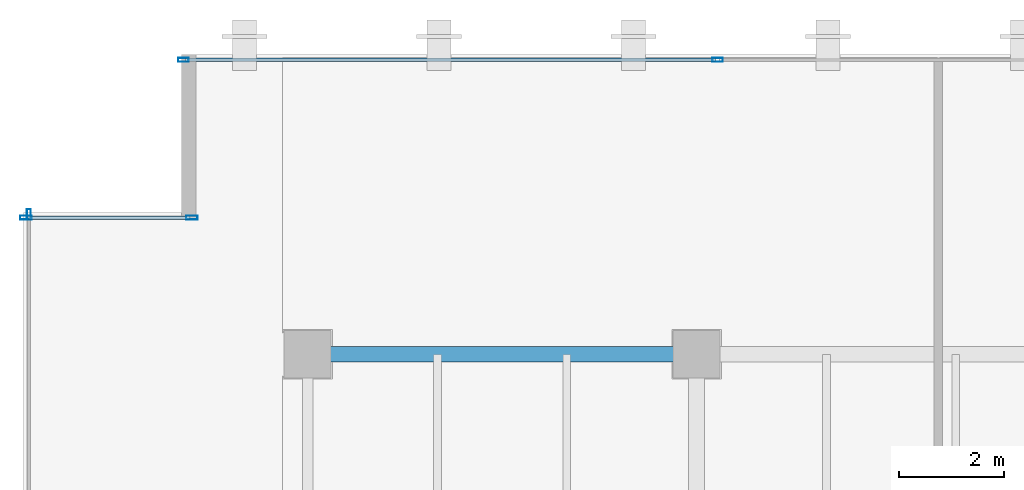
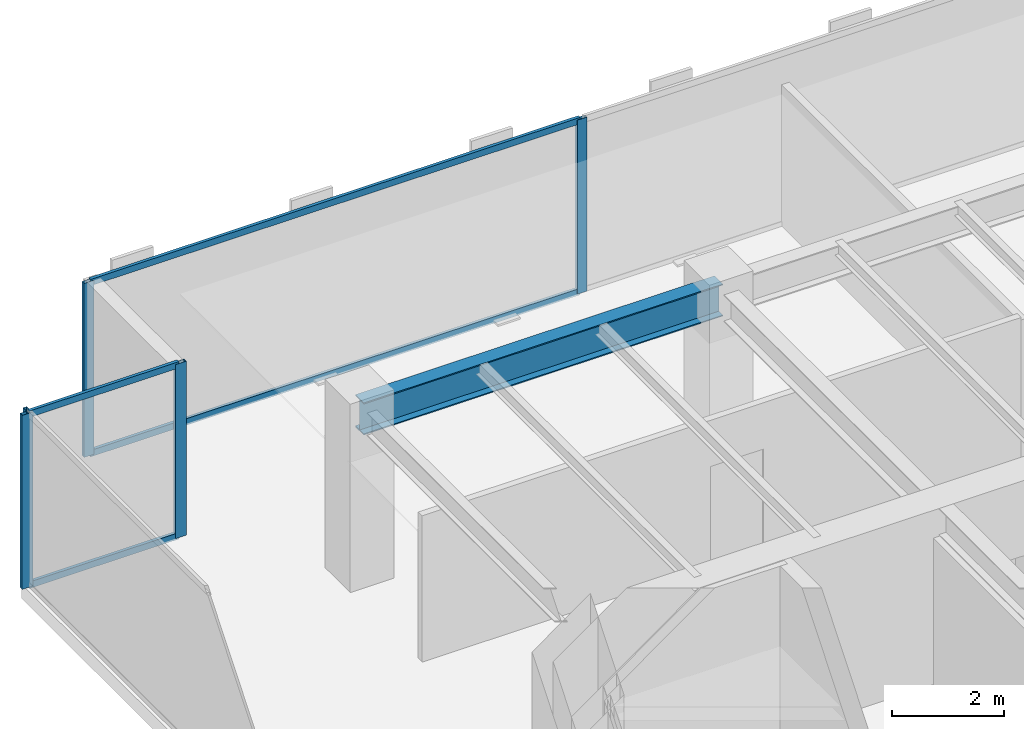
# One storey, part 14 of 34: 9 members, 1 beam, 3 elements without a shape of their own.
"""IFC4 building model written with IfcOpenShell, lengths in metres."""

import ifcopenshell
import ifcopenshell.guid

model = None  # the IFC model being written
_history = None  # IfcOwnerHistory: only IFC2X3 demands one
_inside = {}  # id of a spatial element -> (the spatial element, [elements in it])
_under = {}  # id of a project, library or spatial element -> (it, [spatial elements below it])
_declared = {}  # id of a project -> (the project, [libraries it declares])
_typed = {}  # id of a type object -> (the type object, [elements of that type])
_made_of = {}  # id of a material, layer set ... -> (it, [elements and type objects made of it])


def new_model(schema):
    """Start an empty IFC model of exactly this schema.

    Asked for "IFC4X3", IfcOpenShell would pick the latest addendum, in which some entities
    have other attributes; the version numbers below select the first issue.
    IFC2X3 requires an IfcOwnerHistory on every rooted entity: one is made here for all.
    """
    global model, _history
    if schema == "IFC4X3":
        model = ifcopenshell.file(schema_version=(4, 3, 0, 0))
    else:
        model = ifcopenshell.file(schema=schema)
    _inside.clear()
    _under.clear()
    _declared.clear()
    _typed.clear()
    _made_of.clear()
    _history = None
    if model.schema == "IFC2X3":
        org = make("IfcOrganization", Name="unknown")
        user = make(
            "IfcPersonAndOrganization",
            ThePerson=make("IfcPerson", FamilyName="unknown"),
            TheOrganization=org,
        )
        app = make(
            "IfcApplication",
            ApplicationDeveloper=org,
            Version="unknown",
            ApplicationFullName="unknown",
            ApplicationIdentifier="unknown",
        )
        _history = make(
            "IfcOwnerHistory",
            OwningUser=user,
            OwningApplication=app,
            ChangeAction="ADDED",
            CreationDate=0,
        )
    return model


def make(cls, **values):
    """One entity of the class cls with the attributes given. An attribute that is None is left unset."""
    return model.create_entity(
        cls, **{name: value for name, value in values.items() if value is not None}
    )


def rooted(cls, **values):
    """An entity with a GlobalId (a new one), such as an element, a storey or a relation."""
    return make(cls, GlobalId=ifcopenshell.guid.new(), OwnerHistory=_history, **values)


def si_unit(unit_type, name, prefix=None):
    """IfcSIUnit, for example si_unit("LENGTHUNIT", "METRE", prefix="MILLI")."""
    return make("IfcSIUnit", UnitType=unit_type, Prefix=prefix, Name=name)


def assignment(units):
    """IfcUnitAssignment: the units of a project."""
    return None if units is None else make("IfcUnitAssignment", Units=units)


def point(xyz):
    """IfcCartesianPoint."""
    return None if xyz is None else make("IfcCartesianPoint", Coordinates=xyz)


def direction(xyz):
    """IfcDirection."""
    return None if xyz is None else make("IfcDirection", DirectionRatios=xyz)


def frame(location, z_axis=None, x_axis=None):
    """IfcAxis2Placement3D, a coordinate frame: its origin and axes. An axis left out is left unset."""
    return make(
        "IfcAxis2Placement3D",
        Location=point(location),
        Axis=direction(z_axis),
        RefDirection=direction(x_axis),
    )


def frame_2d(location, x_axis=None):
    """IfcAxis2Placement2D, a coordinate frame in the plane: its origin and x axis."""
    return make(
        "IfcAxis2Placement2D", Location=point(location), RefDirection=direction(x_axis)
    )


def origin():
    """The frame at (0, 0, 0) with its axes left unset."""
    return frame((0.0, 0.0, 0.0))


def origin_2d():
    """The frame at (0, 0) in the plane with its x axis left unset."""
    return frame_2d((0.0, 0.0))


def place(relative_to, where):
    """IfcLocalPlacement: puts the frame where relative to a parent placement (None: the world)."""
    return make(
        "IfcLocalPlacement", PlacementRelTo=relative_to, RelativePlacement=where
    )


def context(
    kind, dimensions, precision=None, world=None, true_north=None, identifier=None
):
    """IfcGeometricRepresentationContext, for example the 3D "Model" context."""
    return make(
        "IfcGeometricRepresentationContext",
        ContextIdentifier=identifier,
        ContextType=kind,
        CoordinateSpaceDimension=dimensions,
        Precision=precision,
        WorldCoordinateSystem=world,
        TrueNorth=true_north,
    )


def subcontext(parent, identifier, kind, view, scale=None):
    """IfcGeometricRepresentationSubContext, for example "Body" below "Model"."""
    return make(
        "IfcGeometricRepresentationSubContext",
        ContextIdentifier=identifier,
        ContextType=kind,
        ParentContext=parent,
        TargetScale=scale,
        TargetView=view,
    )


def project(units=None, contexts=None):
    """IfcProject with its units and contexts."""
    return rooted(
        "IfcProject",
        Name="project",
        RepresentationContexts=contexts,
        UnitsInContext=assignment(units),
    )


def spatial(cls, under=None, at=None, **own):
    """A site, building, storey or space (cls), placed at a placement, below another one or the project."""
    s = rooted(cls, ObjectPlacement=at, **own)
    if under is not None:
        _under.setdefault(under.id(), (under, []))[1].append(s)
    return s


def profile(cls, at=None, kind="AREA", **sizes):
    """A parametric profile (cls). Its sizes go by their IFC names, for example OverallWidth=200.0."""
    return make(cls, ProfileType=kind, Position=at, **sizes)


def hollow_rectangle(**sizes):
    """IfcRectangleHollowProfileDef."""
    return profile("IfcRectangleHollowProfileDef", **sizes)


def i_section(**sizes):
    """IfcIShapeProfileDef."""
    return profile("IfcIShapeProfileDef", **sizes)


def extrude(swept, where, along, depth):
    """IfcExtrudedAreaSolid: the profile swept, set in the frame where, extruded along a direction by depth."""
    return make(
        "IfcExtrudedAreaSolid",
        SweptArea=swept,
        Position=where,
        ExtrudedDirection=direction(along),
        Depth=depth,
    )


def shape(context_of_items, identifier, shape_type, items):
    """IfcShapeRepresentation: the items that make up one representation, for example the "Body"."""
    return make(
        "IfcShapeRepresentation",
        ContextOfItems=context_of_items,
        RepresentationIdentifier=identifier,
        RepresentationType=shape_type,
        Items=items,
    )


def source(mapping_origin, context_of_items, identifier, shape_type, items):
    """IfcRepresentationMap: a shape defined once, which mapped items show again and again."""
    return make(
        "IfcRepresentationMap",
        MappingOrigin=mapping_origin,
        MappedRepresentation=shape(context_of_items, identifier, shape_type, items),
    )


def transform(
    local_origin,
    x_axis=None,
    y_axis=None,
    z_axis=None,
    scale=None,
    scale2=None,
    scale3=None,
    uniform=True,
):
    """IfcCartesianTransformationOperator3D, or its non-uniform kind. x_axis, y_axis, z_axis: its Axis1, 2, 3."""
    if uniform:
        return make(
            "IfcCartesianTransformationOperator3D",
            Axis1=direction(x_axis),
            Axis2=direction(y_axis),
            LocalOrigin=point(local_origin),
            Scale=scale,
            Axis3=direction(z_axis),
        )
    return make(
        "IfcCartesianTransformationOperator3DnonUniform",
        Axis1=direction(x_axis),
        Axis2=direction(y_axis),
        LocalOrigin=point(local_origin),
        Scale=scale,
        Axis3=direction(z_axis),
        Scale2=scale2,
        Scale3=scale3,
    )


def mapped(mapping_source, mapping_target):
    """IfcMappedItem: shows the shape of a source again, moved by a transform."""
    return make(
        "IfcMappedItem", MappingSource=mapping_source, MappingTarget=mapping_target
    )


def material(Name=None, Category=None):
    """IfcMaterial."""
    return make("IfcMaterial", Name=Name, Category=Category)


def layer(
    of_material, thickness, ventilated=None, Name=None, Category=None, Priority=None
):
    """IfcMaterialLayer: one layer of a wall or slab, of a material (None: an air gap)."""
    return make(
        "IfcMaterialLayer",
        Material=of_material,
        LayerThickness=thickness,
        IsVentilated=ventilated,
        Name=Name,
        Category=Category,
        Priority=Priority,
    )


def layer_set(layers, Name=None):
    """IfcMaterialLayerSet."""
    return make("IfcMaterialLayerSet", MaterialLayers=layers, LayerSetName=Name)


def material_profile(
    of_material, cross_section, Name=None, Category=None, Priority=None
):
    """IfcMaterialProfile: a cross section and its material."""
    return make(
        "IfcMaterialProfile",
        Name=Name,
        Material=of_material,
        Profile=cross_section,
        Priority=Priority,
        Category=Category,
    )


def profile_set(profiles, Name=None, composite=None):
    """IfcMaterialProfileSet."""
    return make(
        "IfcMaterialProfileSet",
        Name=Name,
        MaterialProfiles=profiles,
        CompositeProfile=composite,
    )


def made_of(thing, what):
    """Note that an element or type object is made of a material, layer set ...; save() writes the relation."""
    if what is not None:
        _made_of.setdefault(what.id(), (what, []))[1].append(thing)
    return thing


def type_object(cls, material=None, **own):
    """A type object (cls), such as IfcWallType, which elements share."""
    return made_of(rooted(cls, **own), material)


def type_shapes(of_type, sources):
    """Give a type object the sources (RepresentationMaps) that its elements show as mapped items."""
    of_type.RepresentationMaps = sources


def element(
    cls,
    number,
    at=None,
    inside=None,
    cuts=None,
    type_object=None,
    material=None,
    context=None,
    identifier="Body",
    shape_type=None,
    held_by="IfcProductDefinitionShape",
    body=None,
    shapes=None,
    **own,
):
    """One element of the class cls, such as IfcWall. Its Tag is "e" and its number.

    at: its placement. inside: the storey or other place that contains it. cuts: it is an
    opening in that element (IfcRelVoidsElement). A single representation is given by context,
    identifier, shape_type and body (its items); several are given by shapes. held_by: the class
    of the entity that holds the representations. save() writes the other relations.
    """
    e = rooted(cls, Tag="e%d" % number, ObjectPlacement=at, **own)
    if body is not None:
        shapes = [shape(context, identifier, shape_type, body)]
    if shapes is not None:
        e.Representation = make(held_by, Representations=shapes)
    if inside is not None:
        _inside.setdefault(inside.id(), (inside, []))[1].append(e)
    if cuts is not None:
        rooted(
            "IfcRelVoidsElement", RelatingBuildingElement=cuts, RelatedOpeningElement=e
        )
    if type_object is not None:
        _typed.setdefault(type_object.id(), (type_object, []))[1].append(e)
    return made_of(e, material)


def aggregate(whole, parts):
    """IfcRelAggregates: a whole, such as a stair, and the parts it consists of."""
    return rooted("IfcRelAggregates", RelatingObject=whole, RelatedObjects=parts)


def save(model, path):
    """Write the relations noted so far, then the file.

    IfcRelAggregates (storeys below a building ...), IfcRelContainedInSpatialStructure (elements
    in a storey), IfcRelDefinesByType, IfcRelAssociatesMaterial and IfcRelDeclares: one each for
    every whole, place, type object, material and project.
    """
    for whole, parts in _under.values():
        aggregate(whole, parts)
    for where, things in _inside.values():
        rooted(
            "IfcRelContainedInSpatialStructure",
            RelatedElements=things,
            RelatingStructure=where,
        )
    for kind, things in _typed.values():
        rooted("IfcRelDefinesByType", RelatedObjects=things, RelatingType=kind)
    for what, things in _made_of.values():
        rooted("IfcRelAssociatesMaterial", RelatedObjects=things, RelatingMaterial=what)
    for by, libraries in _declared.values():
        rooted("IfcRelDeclares", RelatingContext=by, RelatedDefinitions=libraries)
    model.write(path)


model = new_model("IFC4")

# Units and contexts
model_context = context("Model", 3, precision=1e-05, world=origin(), true_north=direction((0.0, 1.0)))
body_context = subcontext(model_context, "Body", "Model", "MODEL_VIEW")
ifc_project = project(units=[si_unit("LENGTHUNIT", "METRE"), si_unit("AREAUNIT", "SQUARE_METRE"), si_unit("VOLUMEUNIT", "CUBIC_METRE"), si_unit("PLANEANGLEUNIT", "RADIAN"), si_unit("MASSUNIT", "GRAM", prefix="KILO")], contexts=[model_context])

# Site, building, storey
site_placement = place(None, origin())
site = spatial("IfcSite", under=ifc_project, at=site_placement, CompositionType="ELEMENT")
building_placement = place(site_placement, origin())
building = spatial("IfcBuilding", under=site, at=building_placement, Name="Haelvirn Gate Laboratories", CompositionType="ELEMENT")
storey_placement = place(building_placement, frame((0.0, 0.0, 158.39990234375)))
storey = spatial("IfcBuildingStorey", under=building, at=storey_placement, Name="L38", CompositionType="ELEMENT", Elevation=158.39990234375)

# Beam
ifc_material_1 = material(Name="Steel SM355", Category="steel")
ifc_material_profile_1 = material_profile(ifc_material_1, i_section(OverallWidth=0.300048828125, OverallDepth=0.699951171875, WebThickness=0.012939453125, FlangeThickness=0.02392578125, at=origin_2d()), Name="H-700x300x13x24")
ifc_profile_set_1 = profile_set([ifc_material_profile_1], Name="Steel SM355")
beam_type = type_object("IfcBeamType", Name="BM-G-700", PredefinedType="BEAM", material=ifc_profile_set_1)
shared_shape_1 = source(origin(), body_context, "Body", "SweptSolid", [
    extrude(i_section(OverallWidth=0.300048828125, OverallDepth=0.699951171875, WebThickness=0.012939453125, FlangeThickness=0.02392578125, at=origin_2d()), origin(), (0.0, 0.0, 1.0), 7.400146484375),
])
type_shapes(beam_type, [shared_shape_1])
beam_placement = place(storey_placement, frame((7.39990234375, 41.60009765625, 3.440185546875), z_axis=(1.0, 0.0, 0.0), x_axis=(0.0, 1.0, 0.0)))
element("IfcBeam", 1, at=beam_placement, inside=storey, type_object=beam_type, Name="L38 Primary Girder Y41.6 (7.4-14.8)", PredefinedType="BEAM", context=body_context, shape_type="MappedRepresentation", body=[
    mapped(shared_shape_1, transform((0.0, 0.0, 0.0), scale=1.0)),
])

# Curtain wall, members
ifc_material_2 = material(Name="Anodised bronze unitised aluminium & triple low-E glass", Category="aluminium")
ifc_layer_1 = layer(ifc_material_2, 0.179931640625, Name="CW-SYS-3")
ifc_layer_set_1 = layer_set([ifc_layer_1], Name="Anodised bronze unitised aluminium & triple low-E glass")
curtain_wall_type_1 = type_object("IfcCurtainWallType", Name="CW-SYS-3", PredefinedType="NOTDEFINED", material=ifc_layer_set_1)
curtain_wall_1_placement = place(storey_placement, origin())
curtain_wall_1 = element("IfcCurtainWall", 2, at=curtain_wall_1_placement, inside=storey, type_object=curtain_wall_type_1, Name="L38 Unitised Curtain Wall CW-L38-P0-E14-1", PredefinedType="NOTDEFINED")
ifc_material_3 = material(Name="Extruded aluminium 6063-T6 (anodised bronze)", Category="aluminium")
ifc_material_profile_2 = material_profile(ifc_material_3, hollow_rectangle(XDim=0.06494140625, YDim=0.139892578125, WallThickness=0.00390625, at=origin_2d()), Name="CWT-140x65x4")
ifc_profile_set_2 = profile_set([ifc_material_profile_2], Name="Extruded aluminium 6063-T6 (anodised bronze)")
member_type_1 = type_object("IfcMemberType", Name="CWT-T140", PredefinedType="USERDEFINED", material=ifc_profile_set_2)
shared_shape_2 = source(origin(), body_context, "Body", "SweptSolid", [
    extrude(hollow_rectangle(XDim=0.06494140625, YDim=0.139892578125, WallThickness=0.00390625, at=origin_2d()), origin(), (0.0, 0.0, 1.0), 10.087646484375),
])
member_1_placement = place(storey_placement, frame((5.074951171875, 47.199951171875, 0.03271484375), z_axis=(1.0, 0.0, 0.0), x_axis=(0.0, 1.0, 0.0)))
member_1 = element("IfcMember", 3, at=member_1_placement, type_object=member_type_1, Name="CW3 transom 1.1", ObjectType="TRANSOM", PredefinedType="USERDEFINED", context=body_context, shape_type="MappedRepresentation", body=[
    mapped(shared_shape_2, transform((0.0, 0.0, 0.0), scale=1.0)),
])
member_2_placement = place(storey_placement, frame((5.074951171875, 47.199951171875, 3.757568359375), z_axis=(1.0, 0.0, 0.0), x_axis=(0.0, 1.0, 0.0)))
member_2 = element("IfcMember", 4, at=member_2_placement, type_object=member_type_1, Name="CW3 transom 1.2", ObjectType="TRANSOM", PredefinedType="USERDEFINED", context=body_context, shape_type="MappedRepresentation", body=[
    mapped(shared_shape_2, transform((0.0, 0.0, 0.0), scale=1.0)),
])

ifc_layer_2 = layer(ifc_material_2, 0.181884765625, Name="CW-SYS-5")
ifc_layer_set_2 = layer_set([ifc_layer_2], Name="Anodised bronze unitised aluminium & triple low-E glass")
curtain_wall_type_2 = type_object("IfcCurtainWallType", Name="CW-SYS-5", PredefinedType="NOTDEFINED", material=ifc_layer_set_2)
curtain_wall_2_placement = place(storey_placement, origin())
curtain_wall_2 = element("IfcCurtainWall", 5, at=curtain_wall_2_placement, inside=storey, type_object=curtain_wall_type_2, Name="L38 Unitised Curtain Wall CW-L38-P0-E16-1", PredefinedType="NOTDEFINED")
shared_shape_3 = source(origin(), body_context, "Body", "SweptSolid", [
    extrude(hollow_rectangle(XDim=0.06494140625, YDim=0.139892578125, WallThickness=0.00390625, at=origin_2d()), origin(), (0.0, 0.0, 1.0), 3.079833984375),
])
type_shapes(member_type_1, [shared_shape_2, shared_shape_3])
member_3_placement = place(storey_placement, frame((2.080078125, 44.199951171875, 0.03271484375), z_axis=(1.0, 0.0, 0.0), x_axis=(0.0, 1.0, 0.0)))
member_3 = element("IfcMember", 6, at=member_3_placement, type_object=member_type_1, Name="CW5 transom 1.1", ObjectType="TRANSOM", PredefinedType="USERDEFINED", context=body_context, shape_type="MappedRepresentation", body=[
    mapped(shared_shape_3, transform((0.0, 0.0, 0.0), scale=1.0)),
])
member_4_placement = place(storey_placement, frame((2.080078125, 44.199951171875, 3.757568359375), z_axis=(1.0, 0.0, 0.0), x_axis=(0.0, 1.0, 0.0)))
member_4 = element("IfcMember", 7, at=member_4_placement, type_object=member_type_1, Name="CW5 transom 1.2", ObjectType="TRANSOM", PredefinedType="USERDEFINED", context=body_context, shape_type="MappedRepresentation", body=[
    mapped(shared_shape_3, transform((0.0, 0.0, 0.0), scale=1.0)),
])

# Member
ifc_material_profile_3 = material_profile(ifc_material_3, hollow_rectangle(XDim=0.074951171875, YDim=0.199951171875, WallThickness=0.0048828125, at=origin_2d()), Name="CWM-200x75x5")
ifc_profile_set_3 = profile_set([ifc_material_profile_3], Name="Extruded aluminium 6063-T6 (anodised bronze)")
member_type_2 = type_object("IfcMemberType", Name="CWM-T200", PredefinedType="MULLION", material=ifc_profile_set_3)
shared_shape_4 = source(origin(), body_context, "Body", "SweptSolid", [
    extrude(hollow_rectangle(XDim=0.074951171875, YDim=0.199951171875, WallThickness=0.0048828125, at=origin_2d()), origin(), (0.0, 0.0, 1.0), 3.7900390625),
])
type_shapes(member_type_2, [shared_shape_4])
member_5_placement = place(storey_placement, frame((5.03759765625, 47.199951171875, 0.0), z_axis=(0.0, 0.0, 1.0), x_axis=(0.0, 1.0, 0.0)))
member_5 = element("IfcMember", 8, at=member_5_placement, type_object=member_type_2, Name="CW3 mullion 1", PredefinedType="MULLION", context=body_context, shape_type="MappedRepresentation", body=[
    mapped(shared_shape_4, transform((0.0, 0.0, 0.0), scale=1.0)),
])

member_6_placement = place(storey_placement, frame((15.199951171875, 47.199951171875, 0.0), z_axis=(0.0, 0.0, 1.0), x_axis=(0.0, 1.0, 0.0)))
member_6 = element("IfcMember", 9, at=member_6_placement, type_object=member_type_2, Name="CW3 mullion 2", PredefinedType="MULLION", context=body_context, shape_type="MappedRepresentation", body=[
    mapped(shared_shape_4, transform((0.0, 0.0, 0.0), scale=1.0)),
])

aggregate(curtain_wall_1, [member_5, member_6, member_1, member_2])

# Curtain wall, member
curtain_wall_3_placement = place(storey_placement, origin())
curtain_wall_3 = element("IfcCurtainWall", 10, at=curtain_wall_3_placement, inside=storey, type_object=curtain_wall_type_1, Name="L38 Unitised Curtain Wall CW-L38-P0-E17", PredefinedType="NOTDEFINED")
member_7_placement = place(storey_placement, frame((2.10009765625, 44.262451171875, 0.0), z_axis=(0.0, 0.0, 1.0), x_axis=(1.0, 0.0, 0.0)))
member_7 = element("IfcMember", 11, at=member_7_placement, type_object=member_type_2, Name="CW3 mullion 1", PredefinedType="MULLION", context=body_context, shape_type="MappedRepresentation", body=[
    mapped(shared_shape_4, transform((0.0, 0.0, 0.0), scale=1.0)),
])
aggregate(curtain_wall_3, [member_7])

# Member
ifc_material_profile_4 = material_profile(ifc_material_3, hollow_rectangle(XDim=0.080078125, YDim=0.219970703125, WallThickness=0.006103515625, at=origin_2d()), Name="CWM-220x80x6")
ifc_profile_set_4 = profile_set([ifc_material_profile_4], Name="Extruded aluminium 6063-T6 (anodised bronze)")
member_type_3 = type_object("IfcMemberType", Name="CWM-T220", PredefinedType="MULLION", material=ifc_profile_set_4)
shared_shape_5 = source(origin(), body_context, "Body", "SweptSolid", [
    extrude(hollow_rectangle(XDim=0.080078125, YDim=0.219970703125, WallThickness=0.006103515625, at=origin_2d()), origin(), (0.0, 0.0, 1.0), 3.7900390625),
])
type_shapes(member_type_3, [shared_shape_5])
member_8_placement = place(storey_placement, frame((2.0400390625, 44.199951171875, 0.0), z_axis=(0.0, 0.0, 1.0), x_axis=(0.0, 1.0, 0.0)))
member_8 = element("IfcMember", 12, at=member_8_placement, type_object=member_type_3, Name="CW5 mullion 1", PredefinedType="MULLION", context=body_context, shape_type="MappedRepresentation", body=[
    mapped(shared_shape_5, transform((0.0, 0.0, 0.0), scale=1.0)),
])

member_9_placement = place(storey_placement, frame((5.199951171875, 44.199951171875, 0.0), z_axis=(0.0, 0.0, 1.0), x_axis=(0.0, 1.0, 0.0)))
member_9 = element("IfcMember", 13, at=member_9_placement, type_object=member_type_3, Name="CW5 mullion 2", PredefinedType="MULLION", context=body_context, shape_type="MappedRepresentation", body=[
    mapped(shared_shape_5, transform((0.0, 0.0, 0.0), scale=1.0)),
])

aggregate(curtain_wall_2, [member_8, member_9, member_3, member_4])

save(model, "model.ifc")
